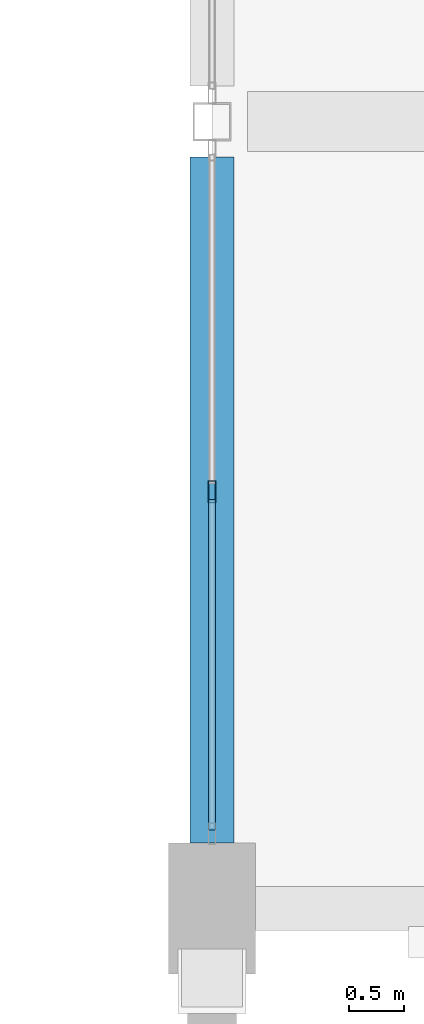
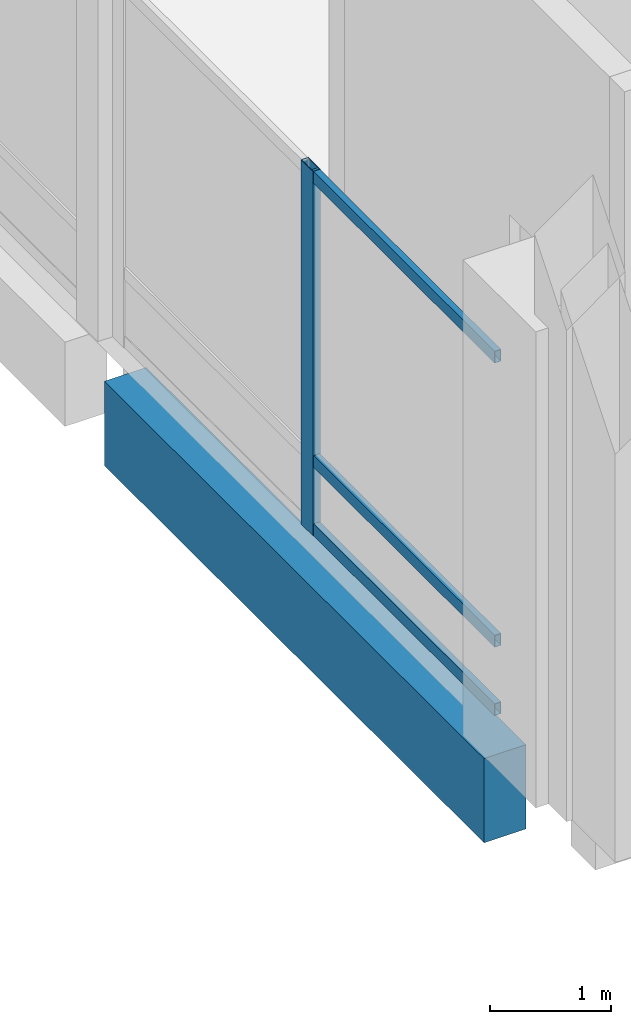
# One storey, part 64 of 193: 4 members, 1 beam, 1 element without a shape of its own.
"""IFC4 building model written with IfcOpenShell, lengths in metres."""

from ifc_helpers import new_model, si_unit, direction, frame, origin, origin_2d, place, context, subcontext, project, spatial, rectangle, hollow_rectangle, extrude, material, material_profile, profile_set, type_object, element, aggregate, save


model = new_model("IFC4")

# Units and contexts
model_context = context("Model", 3, precision=1e-05, world=origin(), true_north=direction((0.0, 1.0)))
body_context = subcontext(model_context, "Body", "Model", "MODEL_VIEW")
ifc_project = project(units=[si_unit("LENGTHUNIT", "METRE"), si_unit("AREAUNIT", "SQUARE_METRE"), si_unit("VOLUMEUNIT", "CUBIC_METRE"), si_unit("PLANEANGLEUNIT", "RADIAN"), si_unit("MASSUNIT", "GRAM", prefix="KILO")], contexts=[model_context])

# Site, building, storey
site_placement = place(None, origin())
site = spatial("IfcSite", under=ifc_project, at=site_placement, CompositionType="ELEMENT")
building_placement = place(site_placement, origin())
building = spatial("IfcBuilding", under=site, at=building_placement, Name="Cendralis Lancet Convention Centre", CompositionType="ELEMENT")
storey_placement = place(building_placement, frame((0.0, 0.0, 10.199951171875)))
storey = spatial("IfcBuildingStorey", under=building, at=storey_placement, Name="L02", CompositionType="ELEMENT", Elevation=10.199951171875)

# Curtain wall, members
ifc_material_1 = material(Name="Anodised bronze architectural aluminium", Category="aluminium")
curtain_wall_type = type_object("IfcCurtainWallType", Name="ARC-CW-PL02", PredefinedType="USERDEFINED", material=ifc_material_1)
curtain_wall_placement = place(storey_placement, origin())
curtain_wall = element("IfcCurtainWall", 1, at=curtain_wall_placement, inside=storey, type_object=curtain_wall_type, Name="L02 Curtain Wall CW-PL2 #126", ObjectType="CURTAIN WALL", PredefinedType="USERDEFINED")
ifc_material_profile_1 = material_profile(ifc_material_1, hollow_rectangle(XDim=0.070068359375, YDim=0.199951171875, WallThickness=0.0048828125, at=origin_2d()), Name="AL-MULL 70x200x5.0")
ifc_profile_set_1 = profile_set([ifc_material_profile_1], Name="Anodised bronze architectural aluminium")
member_type_1 = type_object("IfcMemberType", Name="ARC-CW-ML02", PredefinedType="MULLION", material=ifc_profile_set_1)
member_1_placement = place(storey_placement, frame((139.199951171875, 47.012451171875, 0.0), z_axis=(0.0, 0.0, 1.0), x_axis=(1.0, 0.0, 0.0)))
member_1 = element("IfcMember", 2, at=member_1_placement, type_object=member_type_1, Name="Mullion CW2-CW-PL2-L02-126-M1", PredefinedType="MULLION", context=body_context, shape_type="SweptSolid", body=[
    extrude(hollow_rectangle(XDim=0.070068359375, YDim=0.199951171875, WallThickness=0.0048828125, at=origin_2d()), origin(), (0.0, 0.0, 1.0), 3.675048828125),
])
ifc_material_profile_2 = material_profile(ifc_material_1, hollow_rectangle(XDim=0.06005859375, YDim=0.1201171875, WallThickness=0.00390625, at=origin_2d()), Name="AL-TRAN 60x120x4.0")
ifc_profile_set_2 = profile_set([ifc_material_profile_2], Name="Anodised bronze architectural aluminium")
member_type_2 = type_object("IfcMemberType", Name="ARC-CW-TR01", PredefinedType="USERDEFINED", material=ifc_profile_set_2)
member_2_placement = place(storey_placement, frame((139.199951171875, 43.919921875, 0.06005859375), z_axis=(0.0, 1.0, 0.0), x_axis=(-1.0, 0.0, 0.0)))
member_2 = element("IfcMember", 3, at=member_2_placement, type_object=member_type_2, Name="Transom CW2-CW-PL2-L02-126-T0BOT", ObjectType="TRANSOM", PredefinedType="USERDEFINED", context=body_context, shape_type="SweptSolid", body=[
    extrude(hollow_rectangle(XDim=0.06005859375, YDim=0.1201171875, WallThickness=0.00390625, at=origin_2d()), origin(), (0.0, 0.0, 1.0), 3.0224609375),
])
member_3_placement = place(storey_placement, frame((139.199951171875, 43.919921875, 0.75), z_axis=(0.0, 1.0, 0.0), x_axis=(-1.0, 0.0, 0.0)))
member_3 = element("IfcMember", 4, at=member_3_placement, type_object=member_type_2, Name="Transom CW2-CW-PL2-L02-126-T0MID", ObjectType="TRANSOM", PredefinedType="USERDEFINED", context=body_context, shape_type="SweptSolid", body=[
    extrude(hollow_rectangle(XDim=0.06005859375, YDim=0.1201171875, WallThickness=0.00390625, at=origin_2d()), origin(), (0.0, 0.0, 1.0), 3.0224609375),
])
member_4_placement = place(storey_placement, frame((139.199951171875, 43.919921875, 3.614990234375), z_axis=(0.0, 1.0, 0.0), x_axis=(-1.0, 0.0, 0.0)))
member_4 = element("IfcMember", 5, at=member_4_placement, type_object=member_type_2, Name="Transom CW2-CW-PL2-L02-126-T0TOP", ObjectType="TRANSOM", PredefinedType="USERDEFINED", context=body_context, shape_type="SweptSolid", body=[
    extrude(hollow_rectangle(XDim=0.06005859375, YDim=0.1201171875, WallThickness=0.00390625, at=origin_2d()), origin(), (0.0, 0.0, 1.0), 3.0224609375),
])
aggregate(curtain_wall, [member_1, member_2, member_3, member_4])

# Beam
ifc_material_2 = material(Name="Concrete G40 (C40/50)", Category="concrete")
ifc_material_profile_3 = material_profile(ifc_material_2, rectangle(XDim=0.39990234375, YDim=0.85009765625, at=origin_2d()), Name="RCB 400x850")
ifc_profile_set_3 = profile_set([ifc_material_profile_3], Name="Concrete G40 (C40/50)")
beam_type = type_object("IfcBeamType", Name="STR-SP-SP02", PredefinedType="SPANDREL", material=ifc_profile_set_3)
beam_placement = place(storey_placement, frame((139.199951171875, 43.800048828125, -0.724853515625), z_axis=(0.0, 1.0, 0.0), x_axis=(-1.0, 0.0, 0.0)))
element("IfcBeam", 6, at=beam_placement, inside=storey, type_object=beam_type, Name="L02 Beam SP02 #1477", PredefinedType="SPANDREL", context=body_context, shape_type="SweptSolid", body=[
    extrude(rectangle(XDim=0.39990234375, YDim=0.85009765625, at=origin_2d()), origin(), (0.0, 0.0, 1.0), 6.27490234375),
])

save(model, "model.ifc")
